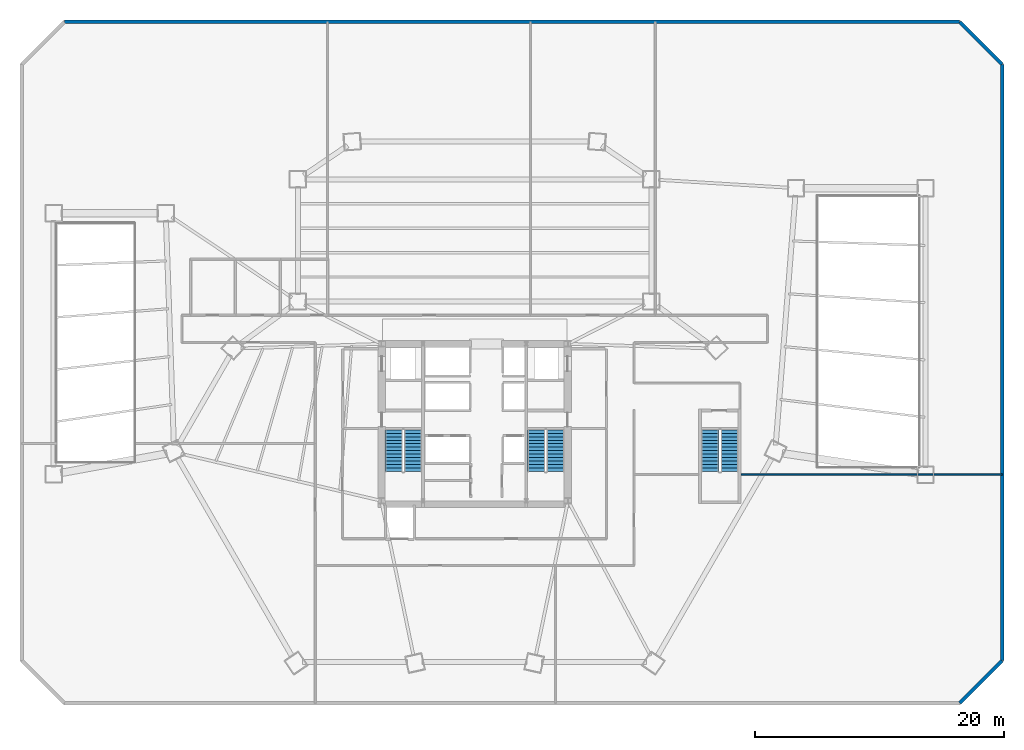
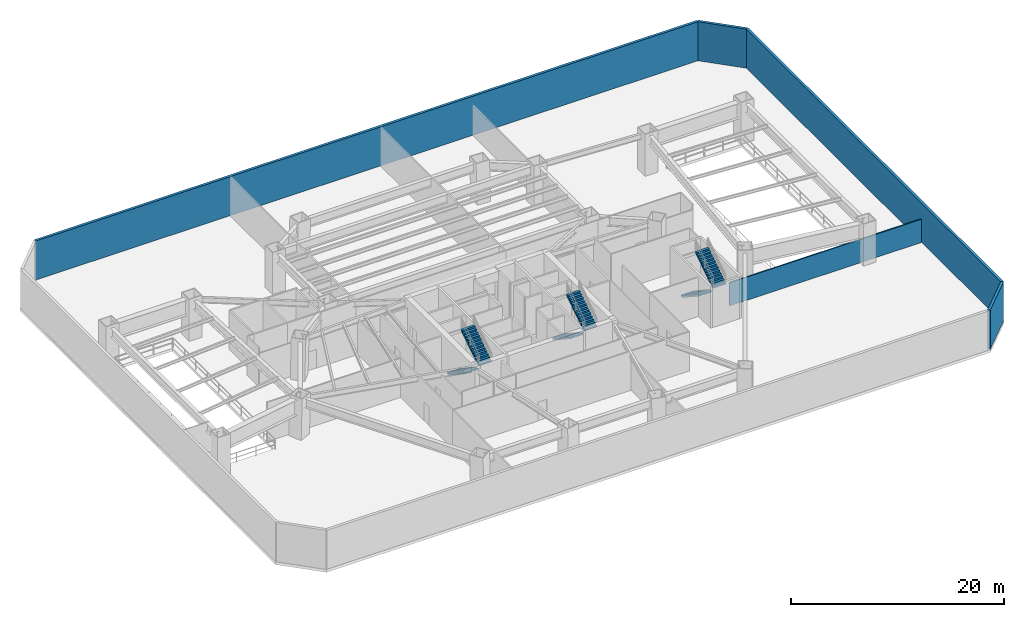
# One storey, part 8 of 11: 6 stair flights, 5 walls, 3 elements without a shape of their own.
"""IFC4 building model written with IfcOpenShell, lengths in metres."""

from ifc_helpers import new_model, si_unit, direction, frame, frame_2d, origin, place, context, subcontext, project, spatial, polyline, rectangle, outline, extrude, material, layer, layer_set, type_object, element, aggregate, save


model = new_model("IFC4")

# Units and contexts
model_context = context("Model", 3, precision=1e-05, world=origin(), true_north=direction((0.0, 1.0)))
body_context = subcontext(model_context, "Body", "Model", "MODEL_VIEW")
ifc_project = project(units=[si_unit("LENGTHUNIT", "METRE"), si_unit("AREAUNIT", "SQUARE_METRE"), si_unit("VOLUMEUNIT", "CUBIC_METRE"), si_unit("PLANEANGLEUNIT", "RADIAN"), si_unit("MASSUNIT", "GRAM", prefix="KILO")], contexts=[model_context])

# Site, building, storey
site_placement = place(None, origin())
site = spatial("IfcSite", under=ifc_project, at=site_placement, CompositionType="ELEMENT")
building_placement = place(site_placement, origin())
building = spatial("IfcBuilding", under=site, at=building_placement, Name="Caelisora Broadcast Tower", CompositionType="ELEMENT")
storey_placement = place(building_placement, frame((0.0, 0.0, 5.39990234375)))
storey = spatial("IfcBuildingStorey", under=building, at=storey_placement, Name="L01", CompositionType="ELEMENT", Elevation=5.39990234375)

# Walls
ifc_material_1 = material(Name="Insulated Terracotta Spandrel Wall System", Category="masonry")
ifc_layer_1 = layer(ifc_material_1, 0.280029296875, Name="Insulated Terracotta Spandrel Wall System")
ifc_layer_set_1 = layer_set([ifc_layer_1], Name="Insulated Terracotta Spandrel Wall System")
wall_type_1 = type_object("IfcWallType", Name="EW1", PredefinedType="STANDARD", material=ifc_layer_set_1)
wall_1_placement = place(storey_placement, frame((5.0859375, 55.840087890625, 0.0), z_axis=(0.0, 0.0, 1.0), x_axis=(1.0, 0.0, 0.0)))
element("IfcWall", 1, at=wall_1_placement, inside=storey, type_object=wall_type_1, Name="L01 exterior envelope wall EW1", PredefinedType="STANDARD", context=body_context, shape_type="SweptSolid", body=[
    extrude(rectangle(XDim=71.828125, YDim=0.280029296875, at=frame_2d((35.9140625, 0.0))), origin(), (0.0, 0.0, 1.0), 4.47998046875),
])
wall_2_placement = place(storey_placement, frame((76.93408203125, 55.840087890625, 0.0), z_axis=(0.0, 0.0, 1.0), x_axis=(0.707106781187, -0.707106781187, 0.0)))
element("IfcWall", 2, at=wall_2_placement, inside=storey, type_object=wall_type_1, Name="L01 exterior envelope wall EW1", PredefinedType="STANDARD", context=body_context, shape_type="SweptSolid", body=[
    extrude(rectangle(XDim=4.81689453125, YDim=0.280029296875, at=frame_2d((2.408447265625, 0.0))), origin(), (0.0, 0.0, 1.0), 4.47998046875),
])
wall_3_placement = place(storey_placement, frame((80.340087890625, 52.4140625, 0.0), z_axis=(0.0, 0.0, 1.0), x_axis=(0.0, -1.0, 0.0)))
element("IfcWall", 3, at=wall_3_placement, inside=storey, type_object=wall_type_1, Name="L01 exterior envelope wall EW1", PredefinedType="STANDARD", context=body_context, shape_type="SweptSolid", body=[
    extrude(rectangle(XDim=47.828125, YDim=0.280029296875, at=frame_2d((23.9140625, 0.0))), origin(), (0.0, 0.0, 1.0), 4.47998046875),
])
wall_4_placement = place(storey_placement, frame((80.340087890625, 4.56591796875, 0.0), z_axis=(0.0, 0.0, 1.0), x_axis=(-0.707106781187, -0.707106781187, 0.0)))
element("IfcWall", 4, at=wall_4_placement, inside=storey, type_object=wall_type_1, Name="L01 exterior envelope wall EW1", PredefinedType="STANDARD", context=body_context, shape_type="SweptSolid", body=[
    extrude(rectangle(XDim=4.81689453125, YDim=0.280029296875, at=frame_2d((2.408447265625, 0.0))), origin(), (0.0, 0.0, 1.0), 4.47998046875),
])
ifc_material_2 = material(Name="Acoustic Steel-Stud Plasterboard Partition", Category="gypsum")
ifc_layer_2 = layer(ifc_material_2, 0.1298828125, Name="Acoustic Steel-Stud Plasterboard Partition")
ifc_layer_set_2 = layer_set([ifc_layer_2], Name="Acoustic Steel-Stud Plasterboard Partition")
wall_type_2 = type_object("IfcWallType", Name="PW3", PredefinedType="PARTITIONING", material=ifc_layer_set_2)
wall_5_placement = place(storey_placement, frame((59.375, 19.5, 0.0), z_axis=(0.0, 0.0, 1.0), x_axis=(1.0, 0.0, 0.0)))
element("IfcWall", 5, at=wall_5_placement, inside=storey, type_object=wall_type_2, Name="L01 internal partition PW3", PredefinedType="PARTITIONING", context=body_context, shape_type="SweptSolid", body=[
    extrude(rectangle(XDim=20.965087890625, YDim=0.1298828125, at=frame_2d((10.482421875, 0.0))), origin(), (0.0, 0.0, 1.0), 2.6650390625),
])

# Stair, stair flights
ifc_material_3 = material(Name="Concrete 40 MPa (AS 3600 N40)", Category="concrete")
stair_type_1 = type_object("IfcStairType", Name="ST-1", PredefinedType="HALF_TURN_STAIR", material=ifc_material_3)
stair_1_placement = place(storey_placement, origin())
stair_1 = element("IfcStair", 6, at=stair_1_placement, inside=storey, type_object=stair_type_1, Name="L01 West Fire-Isolated Tower Stair", PredefinedType="HALF_TURN_STAIR")
stair_flight_type = type_object("IfcStairFlightType", Name="STF-1", PredefinedType="STRAIGHT", material=ifc_material_3)
stair_flight_1_placement = place(storey_placement, frame((31.52001953125, 23.10009765625, 0.0), z_axis=(0.0, 0.0, 1.0), x_axis=(0.0, -1.0, 0.0)))
stair_flight_1 = element("IfcStairFlight", 7, at=stair_flight_1_placement, type_object=stair_flight_type, Name="ST-1 flight 1", NumberOfRisers=13, NumberOfTreads=12, PredefinedType="STRAIGHT", RiserHeight=0.184615385, TreadLength=0.28, context=body_context, shape_type="SweptSolid", body=[
    extrude(outline(polyline([(0.0, 0.0), (0.0, 0.1845703125), (0.280029296875, 0.1845703125), (0.280029296875, 0.369140625), (0.56005859375, 0.369140625), (0.56005859375, 0.553955078125), (0.840087890625, 0.553955078125), (0.840087890625, 0.738525390625), (1.1201171875, 0.738525390625), (1.1201171875, 0.923095703125), (1.39990234375, 0.923095703125), (1.39990234375, 1.107666015625), (1.679931640625, 1.107666015625), (1.679931640625, 1.292236328125), (1.9599609375, 1.292236328125), (1.9599609375, 1.476806640625), (2.239990234375, 1.476806640625), (2.239990234375, 1.66162109375), (2.52001953125, 1.66162109375), (2.52001953125, 1.84619140625), (2.800048828125, 1.84619140625), (2.800048828125, 2.03076171875), (3.080078125, 2.03076171875), (3.080078125, 2.21533203125), (3.360107421875, 2.21533203125), (3.360107421875, 2.39990234375), (3.360107421875, 2.035888671875), (0.272216796875, 0.0), (0.0, 0.0)])), frame((0.0, 0.699951171875, 0.0), z_axis=(0.0, -1.0, 0.0), x_axis=(1.0, 0.0, 0.0)), (0.0, 0.0, 1.0), 1.39990234375),
])
stair_flight_2_placement = place(storey_placement, frame((33.0400390625, 19.739990234375, 2.400146484375), z_axis=(0.0, 0.0, 1.0), x_axis=(0.0, 1.0, 0.0)))
stair_flight_2 = element("IfcStairFlight", 8, at=stair_flight_2_placement, type_object=stair_flight_type, Name="ST-1 flight 2", NumberOfRisers=13, NumberOfTreads=12, PredefinedType="STRAIGHT", RiserHeight=0.184615385, TreadLength=0.28, context=body_context, shape_type="SweptSolid", body=[
    extrude(outline(polyline([(0.0, 0.0), (0.0, 0.1845703125), (0.280029296875, 0.1845703125), (0.280029296875, 0.369140625), (0.56005859375, 0.369140625), (0.56005859375, 0.553955078125), (0.840087890625, 0.553955078125), (0.840087890625, 0.738525390625), (1.1201171875, 0.738525390625), (1.1201171875, 0.923095703125), (1.39990234375, 0.923095703125), (1.39990234375, 1.107666015625), (1.679931640625, 1.107666015625), (1.679931640625, 1.292236328125), (1.9599609375, 1.292236328125), (1.9599609375, 1.476806640625), (2.239990234375, 1.476806640625), (2.239990234375, 1.66162109375), (2.52001953125, 1.66162109375), (2.52001953125, 1.84619140625), (2.800048828125, 1.84619140625), (2.800048828125, 2.03076171875), (3.080078125, 2.03076171875), (3.080078125, 2.21533203125), (3.360107421875, 2.21533203125), (3.360107421875, 2.39990234375), (3.360107421875, 2.035888671875), (0.272216796875, 0.0), (0.0, 0.0)])), frame((0.0, 0.699951171875, 0.0), z_axis=(0.0, -1.0, 0.0), x_axis=(1.0, 0.0, 0.0)), (0.0, 0.0, 1.0), 1.39990234375),
])
aggregate(stair_1, [stair_flight_1, stair_flight_2])

stair_type_2 = type_object("IfcStairType", Name="ST-2", PredefinedType="HALF_TURN_STAIR", material=ifc_material_3)
stair_2_placement = place(storey_placement, origin())
stair_2 = element("IfcStair", 9, at=stair_2_placement, inside=storey, type_object=stair_type_2, Name="L01 East Fire-Isolated Tower Stair", PredefinedType="HALF_TURN_STAIR")
stair_flight_3_placement = place(storey_placement, frame((42.9599609375, 23.10009765625, 0.0), z_axis=(0.0, 0.0, 1.0), x_axis=(0.0, -1.0, 0.0)))
stair_flight_3 = element("IfcStairFlight", 10, at=stair_flight_3_placement, type_object=stair_flight_type, Name="ST-2 flight 1", NumberOfRisers=13, NumberOfTreads=12, PredefinedType="STRAIGHT", RiserHeight=0.184615385, TreadLength=0.28, context=body_context, shape_type="SweptSolid", body=[
    extrude(outline(polyline([(0.0, 0.0), (0.0, 0.1845703125), (0.280029296875, 0.1845703125), (0.280029296875, 0.369140625), (0.56005859375, 0.369140625), (0.56005859375, 0.553955078125), (0.840087890625, 0.553955078125), (0.840087890625, 0.738525390625), (1.1201171875, 0.738525390625), (1.1201171875, 0.923095703125), (1.39990234375, 0.923095703125), (1.39990234375, 1.107666015625), (1.679931640625, 1.107666015625), (1.679931640625, 1.292236328125), (1.9599609375, 1.292236328125), (1.9599609375, 1.476806640625), (2.239990234375, 1.476806640625), (2.239990234375, 1.66162109375), (2.52001953125, 1.66162109375), (2.52001953125, 1.84619140625), (2.800048828125, 1.84619140625), (2.800048828125, 2.03076171875), (3.080078125, 2.03076171875), (3.080078125, 2.21533203125), (3.360107421875, 2.21533203125), (3.360107421875, 2.39990234375), (3.360107421875, 2.035888671875), (0.272216796875, 0.0), (0.0, 0.0)])), frame((0.0, 0.699951171875, 0.0), z_axis=(0.0, -1.0, 0.0), x_axis=(1.0, 0.0, 0.0)), (0.0, 0.0, 1.0), 1.39990234375),
])
stair_flight_4_placement = place(storey_placement, frame((44.47998046875, 19.739990234375, 2.400146484375), z_axis=(0.0, 0.0, 1.0), x_axis=(0.0, 1.0, 0.0)))
stair_flight_4 = element("IfcStairFlight", 11, at=stair_flight_4_placement, type_object=stair_flight_type, Name="ST-2 flight 2", NumberOfRisers=13, NumberOfTreads=12, PredefinedType="STRAIGHT", RiserHeight=0.184615385, TreadLength=0.28, context=body_context, shape_type="SweptSolid", body=[
    extrude(outline(polyline([(0.0, 0.0), (0.0, 0.1845703125), (0.280029296875, 0.1845703125), (0.280029296875, 0.369140625), (0.56005859375, 0.369140625), (0.56005859375, 0.553955078125), (0.840087890625, 0.553955078125), (0.840087890625, 0.738525390625), (1.1201171875, 0.738525390625), (1.1201171875, 0.923095703125), (1.39990234375, 0.923095703125), (1.39990234375, 1.107666015625), (1.679931640625, 1.107666015625), (1.679931640625, 1.292236328125), (1.9599609375, 1.292236328125), (1.9599609375, 1.476806640625), (2.239990234375, 1.476806640625), (2.239990234375, 1.66162109375), (2.52001953125, 1.66162109375), (2.52001953125, 1.84619140625), (2.800048828125, 1.84619140625), (2.800048828125, 2.03076171875), (3.080078125, 2.03076171875), (3.080078125, 2.21533203125), (3.360107421875, 2.21533203125), (3.360107421875, 2.39990234375), (3.360107421875, 2.035888671875), (0.272216796875, 0.0), (0.0, 0.0)])), frame((0.0, 0.699951171875, 0.0), z_axis=(0.0, -1.0, 0.0), x_axis=(1.0, 0.0, 0.0)), (0.0, 0.0, 1.0), 1.39990234375),
])
aggregate(stair_2, [stair_flight_3, stair_flight_4])

stair_type_3 = type_object("IfcStairType", Name="ST-3", PredefinedType="HALF_TURN_STAIR", material=ifc_material_3)
stair_3_placement = place(storey_placement, origin())
stair_3 = element("IfcStair", 12, at=stair_3_placement, inside=storey, type_object=stair_type_3, Name="L01 Podium Broadcast Studio Exit Stair", PredefinedType="HALF_TURN_STAIR")
stair_flight_5_placement = place(storey_placement, frame((56.89990234375, 23.10009765625, 0.0), z_axis=(0.0, 0.0, 1.0), x_axis=(0.0, -1.0, 0.0)))
stair_flight_5 = element("IfcStairFlight", 13, at=stair_flight_5_placement, type_object=stair_flight_type, Name="ST-3 flight 1", NumberOfRisers=13, NumberOfTreads=12, PredefinedType="STRAIGHT", RiserHeight=0.184615385, TreadLength=0.28, context=body_context, shape_type="SweptSolid", body=[
    extrude(outline(polyline([(0.0, 0.0), (0.0, 0.1845703125), (0.280029296875, 0.1845703125), (0.280029296875, 0.369140625), (0.56005859375, 0.369140625), (0.56005859375, 0.553955078125), (0.840087890625, 0.553955078125), (0.840087890625, 0.738525390625), (1.1201171875, 0.738525390625), (1.1201171875, 0.923095703125), (1.39990234375, 0.923095703125), (1.39990234375, 1.107666015625), (1.679931640625, 1.107666015625), (1.679931640625, 1.292236328125), (1.9599609375, 1.292236328125), (1.9599609375, 1.476806640625), (2.239990234375, 1.476806640625), (2.239990234375, 1.66162109375), (2.52001953125, 1.66162109375), (2.52001953125, 1.84619140625), (2.800048828125, 1.84619140625), (2.800048828125, 2.03076171875), (3.080078125, 2.03076171875), (3.080078125, 2.21533203125), (3.360107421875, 2.21533203125), (3.360107421875, 2.39990234375), (3.360107421875, 2.035888671875), (0.272216796875, 0.0), (0.0, 0.0)])), frame((0.0, 0.699951171875, 0.0), z_axis=(0.0, -1.0, 0.0), x_axis=(1.0, 0.0, 0.0)), (0.0, 0.0, 1.0), 1.39990234375),
])
stair_flight_6_placement = place(storey_placement, frame((58.4599609375, 19.739990234375, 2.400146484375), z_axis=(0.0, 0.0, 1.0), x_axis=(0.0, 1.0, 0.0)))
stair_flight_6 = element("IfcStairFlight", 14, at=stair_flight_6_placement, type_object=stair_flight_type, Name="ST-3 flight 2", NumberOfRisers=13, NumberOfTreads=12, PredefinedType="STRAIGHT", RiserHeight=0.184615385, TreadLength=0.28, context=body_context, shape_type="SweptSolid", body=[
    extrude(outline(polyline([(0.0, 0.0), (0.0, 0.1845703125), (0.280029296875, 0.1845703125), (0.280029296875, 0.369140625), (0.56005859375, 0.369140625), (0.56005859375, 0.553955078125), (0.840087890625, 0.553955078125), (0.840087890625, 0.738525390625), (1.1201171875, 0.738525390625), (1.1201171875, 0.923095703125), (1.39990234375, 0.923095703125), (1.39990234375, 1.107666015625), (1.679931640625, 1.107666015625), (1.679931640625, 1.292236328125), (1.9599609375, 1.292236328125), (1.9599609375, 1.476806640625), (2.239990234375, 1.476806640625), (2.239990234375, 1.66162109375), (2.52001953125, 1.66162109375), (2.52001953125, 1.84619140625), (2.800048828125, 1.84619140625), (2.800048828125, 2.03076171875), (3.080078125, 2.03076171875), (3.080078125, 2.21533203125), (3.360107421875, 2.21533203125), (3.360107421875, 2.39990234375), (3.360107421875, 2.035888671875), (0.272216796875, 0.0), (0.0, 0.0)])), frame((0.0, 0.699951171875, 0.0), z_axis=(0.0, -1.0, 0.0), x_axis=(1.0, 0.0, 0.0)), (0.0, 0.0, 1.0), 1.39990234375),
])
aggregate(stair_3, [stair_flight_5, stair_flight_6])

save(model, "model.ifc")
